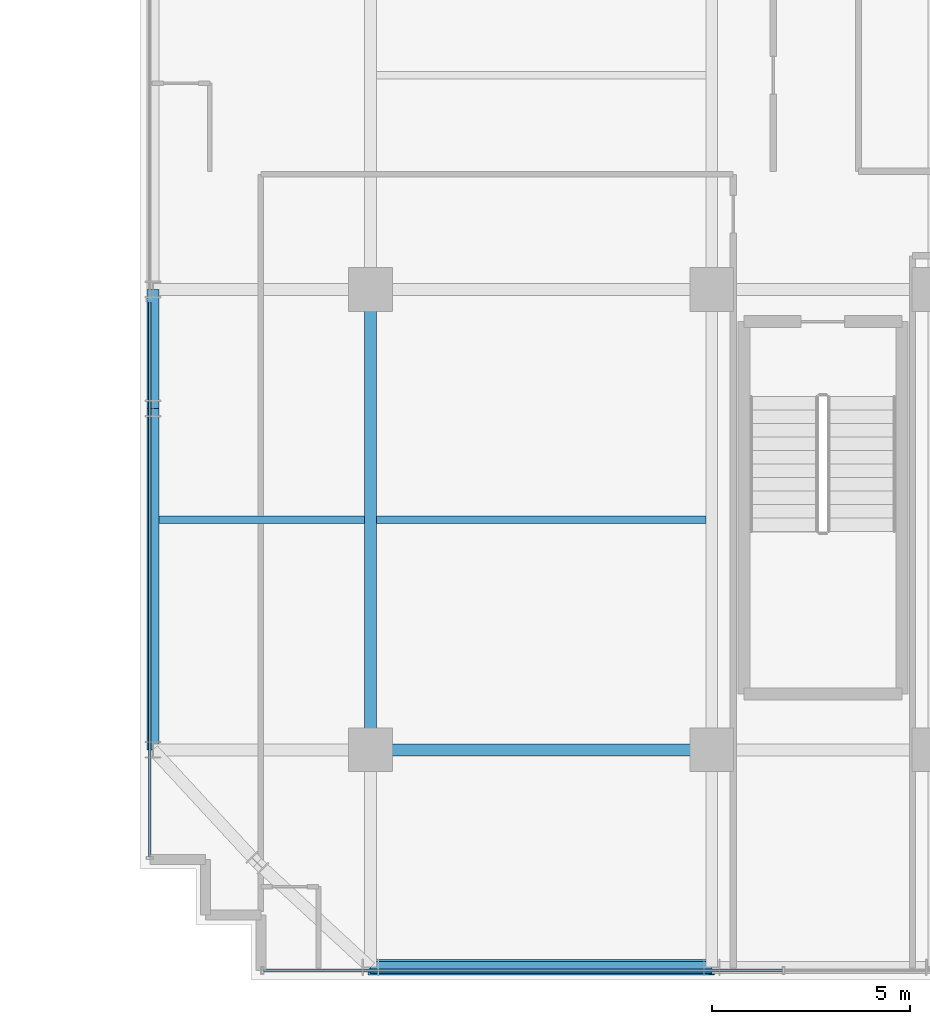
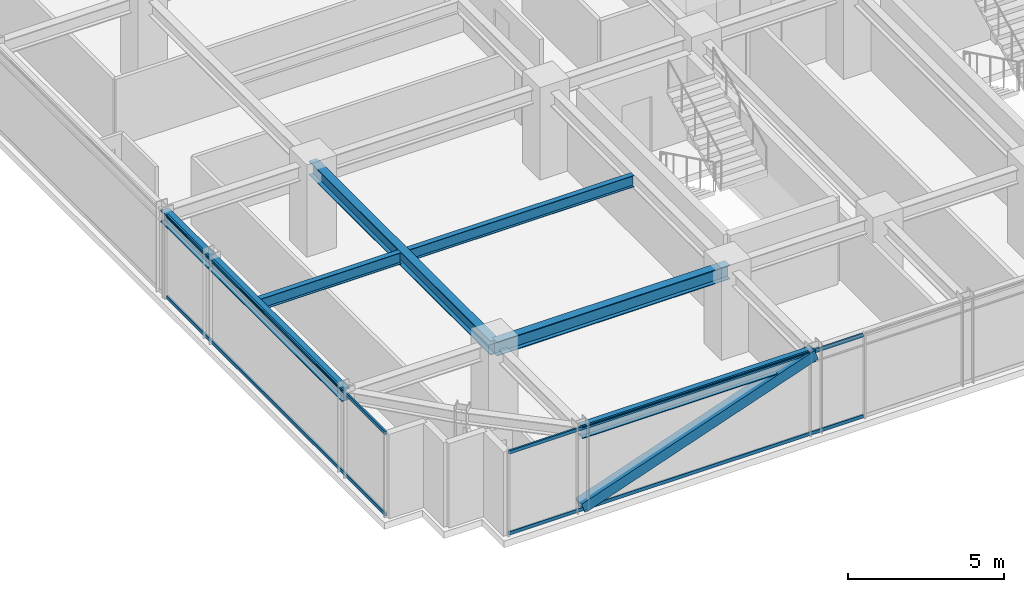
# One storey, part 3 of 32: 7 beams, 5 members, 2 elements without a shape of their own.
"""IFC4 building model written with IfcOpenShell, lengths in metres."""

from ifc_helpers import new_model, si_unit, direction, frame, origin, origin_2d, place, context, subcontext, project, spatial, hollow_rectangle, i_section, extrude, source, transform, mapped, material, material_profile, profile_set, type_object, element, aggregate, save


model = new_model("IFC4")

# Units and contexts
model_context = context("Model", 3, precision=1e-05, world=origin(), true_north=direction((0.0, 1.0)))
body_context = subcontext(model_context, "Body", "Model", "MODEL_VIEW")
ifc_project = project(units=[si_unit("LENGTHUNIT", "METRE"), si_unit("AREAUNIT", "SQUARE_METRE"), si_unit("VOLUMEUNIT", "CUBIC_METRE"), si_unit("PLANEANGLEUNIT", "RADIAN"), si_unit("MASSUNIT", "GRAM", prefix="KILO")], contexts=[model_context])

# Site, building, storey
site_placement = place(None, origin())
site = spatial("IfcSite", under=ifc_project, at=site_placement, CompositionType="ELEMENT")
building_placement = place(site_placement, origin())
building = spatial("IfcBuilding", under=site, at=building_placement, Name="Nahalor Promenade Grand Hotel", CompositionType="ELEMENT")
storey_placement = place(building_placement, frame((0.0, 0.0, 196.449951171875)))
storey = spatial("IfcBuildingStorey", under=building, at=storey_placement, Name="L50", CompositionType="ELEMENT", Elevation=196.449951171875)

# Beams
ifc_material_1 = material(Name="Steel S355JR", Category="steel")
ifc_material_profile_1 = material_profile(ifc_material_1, i_section(OverallWidth=0.3, OverallDepth=0.55, WebThickness=0.015, FlangeThickness=0.029, at=origin_2d()), Name="HEB 550")
ifc_profile_set_1 = profile_set([ifc_material_profile_1], Name="Steel S355JR")
beam_type_1 = type_object("IfcBeamType", Name="Beam-Girder-HEB550", PredefinedType="BEAM", material=ifc_profile_set_1)
shared_shape_1 = source(origin(), body_context, "Body", "SweptSolid", [
    extrude(i_section(OverallWidth=0.3, OverallDepth=0.55, WebThickness=0.015, FlangeThickness=0.029, at=origin_2d()), origin(), (0.0, 0.0, 1.0), 8.60009765625),
])
beam_1_placement = place(storey_placement, frame((-17.0, -17.0, 3.01513671875), z_axis=(1.0, 0.0, 0.0), x_axis=(0.0, 1.0, 0.0)))
element("IfcBeam", 1, at=beam_1_placement, inside=storey, type_object=beam_type_1, Name="BM-L50-GX-0-1", PredefinedType="BEAM", context=body_context, shape_type="MappedRepresentation", body=[
    mapped(shared_shape_1, transform((0.0, 0.0, 0.0), scale=1.0)),
])
shared_shape_2 = source(origin(), body_context, "Body", "SweptSolid", [
    extrude(i_section(OverallWidth=0.3, OverallDepth=0.55, WebThickness=0.015, FlangeThickness=0.029, at=origin_2d()), origin(), (0.0, 0.0, 1.0), 11.60009765625),
])
beam_2_placement = place(storey_placement, frame((-17.0, -17.0, 3.01513671875), z_axis=(0.0, 1.0, 0.0), x_axis=(-1.0, 0.0, 0.0)))
element("IfcBeam", 2, at=beam_2_placement, inside=storey, type_object=beam_type_1, Name="BM-L50-GY-0-1", PredefinedType="BEAM", context=body_context, shape_type="MappedRepresentation", body=[
    mapped(shared_shape_2, transform((0.0, 0.0, 0.0), scale=1.0)),
])
ifc_material_profile_2 = material_profile(ifc_material_1, i_section(OverallWidth=0.19, OverallDepth=0.45, WebThickness=0.0094, FlangeThickness=0.0146, at=origin_2d()), Name="IPE 450")
ifc_profile_set_2 = profile_set([ifc_material_profile_2], Name="Steel S355JR")
beam_type_2 = type_object("IfcBeamType", Name="Beam-Joist-IPE450", PredefinedType="JOIST", material=ifc_profile_set_2)
shared_shape_3 = source(origin(), body_context, "Body", "SweptSolid", [
    extrude(i_section(OverallWidth=0.19, OverallDepth=0.45, WebThickness=0.0094, FlangeThickness=0.0146, at=origin_2d()), origin(), (0.0, 0.0, 1.0), 8.300048828125),
])
beam_3_placement = place(storey_placement, frame((-16.85009765625, -11.199951171875, 3.06494140625), z_axis=(1.0, 0.0, 0.0), x_axis=(0.0, 1.0, 0.0)))
element("IfcBeam", 3, at=beam_3_placement, inside=storey, type_object=beam_type_2, Name="BM-L50-JSW-0-1", PredefinedType="JOIST", context=body_context, shape_type="MappedRepresentation", body=[
    mapped(shared_shape_3, transform((0.0, 0.0, 0.0), scale=1.0)),
])
shared_shape_4 = source(origin(), body_context, "Body", "SweptSolid", [
    extrude(i_section(OverallWidth=0.19, OverallDepth=0.45, WebThickness=0.0094, FlangeThickness=0.0146, at=origin_2d()), origin(), (0.0, 0.0, 1.0), 5.18017578125),
])
beam_4_placement = place(storey_placement, frame((-22.330078125, -11.199951171875, 3.06494140625), z_axis=(1.0, 0.0, 0.0), x_axis=(0.0, 1.0, 0.0)))
element("IfcBeam", 4, at=beam_4_placement, inside=storey, type_object=beam_type_2, Name="BM-L50-JSW-0-0", PredefinedType="JOIST", context=body_context, shape_type="MappedRepresentation", body=[
    mapped(shared_shape_4, transform((0.0, 0.0, 0.0), scale=1.0)),
])
ifc_material_profile_3 = material_profile(ifc_material_1, i_section(OverallWidth=0.3, OverallDepth=0.45, WebThickness=0.014, FlangeThickness=0.026, at=origin_2d()), Name="HEB 450")
ifc_profile_set_3 = profile_set([ifc_material_profile_3], Name="Steel S355JR")
beam_type_3 = type_object("IfcBeamType", Name="Beam-Spandrel-HEB450", PredefinedType="SPANDREL", material=ifc_profile_set_3)
shared_shape_5 = source(origin(), body_context, "Body", "SweptSolid", [
    extrude(i_section(OverallWidth=0.3, OverallDepth=0.45, WebThickness=0.014, FlangeThickness=0.026, at=origin_2d()), origin(), (0.0, 0.0, 1.0), 8.60009765625),
])
for number, where, z_axis, x_axis, name in (
    (5, (-17.0, -22.47998046875, 3.06494140625), (1.0, 0.0, 0.0), (0.0, 1.0, 0.0), "BM-L50-SP-S-0"),
    (6, (-22.47998046875, -17.0, 3.06494140625), (0.0, 1.0, 0.0), (-1.0, 0.0, 0.0), "BM-L50-SP-W-0"),
):
    element("IfcBeam", number, at=place(storey_placement, frame(where, z_axis=z_axis, x_axis=x_axis)), inside=storey, type_object=beam_type_3, Name=name, PredefinedType="SPANDREL", context=body_context, shape_type="MappedRepresentation", body=[
        mapped(shared_shape_5, transform((0.0, 0.0, 0.0), scale=1.0)),
    ])
shared_shape_6 = source(origin(), body_context, "Body", "SweptSolid", [
    extrude(i_section(OverallWidth=0.3, OverallDepth=0.45, WebThickness=0.014, FlangeThickness=0.026, at=origin_2d()), origin(), (0.0, 0.0, 1.0), 3.0),
])
beam_5_placement = place(storey_placement, frame((-22.47998046875, -8.39990234375, 3.06494140625), z_axis=(0.0, 1.0, 0.0), x_axis=(-1.0, 0.0, 0.0)))
element("IfcBeam", 7, at=beam_5_placement, inside=storey, type_object=beam_type_3, Name="BM-L50-SP-W-1", PredefinedType="SPANDREL", context=body_context, shape_type="MappedRepresentation", body=[
    mapped(shared_shape_6, transform((0.0, 0.0, 0.0), scale=1.0)),
])

# Member
ifc_material_profile_4 = material_profile(ifc_material_1, hollow_rectangle(XDim=0.4, YDim=0.4, WallThickness=0.022, at=origin_2d()), Name="SHS 400x400x22")
ifc_profile_set_4 = profile_set([ifc_material_profile_4], Name="Steel S355JR")
member_type_1 = type_object("IfcMemberType", Name="Mem-ExoBrace-SHS400", PredefinedType="BRACE", material=ifc_profile_set_4)
shared_shape_7 = source(origin(), body_context, "Body", "SweptSolid", [
    extrude(hollow_rectangle(XDim=0.4, YDim=0.4, WallThickness=0.022, at=origin_2d()), origin(), (0.0, 0.0, 1.0), 9.10498046875),
])
member_1_placement = place(storey_placement, frame((-17.0, -22.47998046875, 0.150146484375), z_axis=(0.944542728138, 0.0, 0.328388542313), x_axis=(0.0, 1.0, 0.0)))
element("IfcMember", 8, at=member_1_placement, inside=storey, type_object=member_type_1, Name="EXO-L50-S-0", PredefinedType="BRACE", context=body_context, shape_type="MappedRepresentation", body=[
    mapped(shared_shape_7, transform((0.0, 0.0, 0.0), scale=1.0)),
])

# Curtain wall, members
ifc_material_2 = material(Name="Anodised Bronze Aluminium EN AW-6063 T6", Category="aluminium")
curtain_wall_type = type_object("IfcCurtainWallType", Name="CW2 Typical Hotel Flush Bronze Unitised Curtain Wall", PredefinedType="USERDEFINED", material=ifc_material_2)
curtain_wall_1_placement = place(storey_placement, origin())
curtain_wall_1 = element("IfcCurtainWall", 9, at=curtain_wall_1_placement, inside=storey, type_object=curtain_wall_type, Name="L50 Curtain Wall CW-L50-W-1", ObjectType="UNITISED_CURTAIN_WALL", PredefinedType="USERDEFINED")
ifc_material_profile_5 = material_profile(ifc_material_2, hollow_rectangle(XDim=0.065, YDim=0.13, WallThickness=0.004, at=origin_2d()), Name="CWT 65x130x4")
ifc_profile_set_5 = profile_set([ifc_material_profile_5], Name="Anodised Bronze Aluminium EN AW-6063 T6")
member_type_2 = type_object("IfcMemberType", Name="CWT2 Typical Bronze Transom 65x130", PredefinedType="USERDEFINED", material=ifc_profile_set_5)
shared_shape_8 = source(origin(), body_context, "Body", "SweptSolid", [
    extrude(hollow_rectangle(XDim=0.065, YDim=0.13, WallThickness=0.004, at=origin_2d()), origin(), (0.0, 0.0, 1.0), 13.982666015625),
])
member_2_placement = place(storey_placement, frame((-22.56005859375, -19.695068359375, 0.06494140625), z_axis=(0.0, 1.0, 0.0), x_axis=(-1.0, 0.0, 0.0)))
member_2 = element("IfcMember", 10, at=member_2_placement, type_object=member_type_2, Name="CW-L50-W-1 Transom 0-0", ObjectType="TRANSOM", PredefinedType="USERDEFINED", context=body_context, shape_type="MappedRepresentation", body=[
    mapped(shared_shape_8, transform((0.0, 0.0, 0.0), scale=1.0)),
])
member_3_placement = place(storey_placement, frame((-22.56005859375, -19.695068359375, 3.22509765625), z_axis=(0.0, 1.0, 0.0), x_axis=(-1.0, 0.0, 0.0)))
member_3 = element("IfcMember", 11, at=member_3_placement, type_object=member_type_2, Name="CW-L50-W-1 Transom 0-1", ObjectType="TRANSOM", PredefinedType="USERDEFINED", context=body_context, shape_type="MappedRepresentation", body=[
    mapped(shared_shape_8, transform((0.0, 0.0, 0.0), scale=1.0)),
])
aggregate(curtain_wall_1, [member_2, member_3])

curtain_wall_2_placement = place(storey_placement, origin())
curtain_wall_2 = element("IfcCurtainWall", 12, at=curtain_wall_2_placement, inside=storey, type_object=curtain_wall_type, Name="L50 Curtain Wall CW-L50-S-1", ObjectType="UNITISED_CURTAIN_WALL", PredefinedType="USERDEFINED")
shared_shape_9 = source(origin(), body_context, "Body", "SweptSolid", [
    extrude(hollow_rectangle(XDim=0.065, YDim=0.13, WallThickness=0.004, at=origin_2d()), origin(), (0.0, 0.0, 1.0), 13.075927734375),
])
member_4_placement = place(storey_placement, frame((-19.695068359375, -22.56005859375, 0.06494140625), z_axis=(1.0, 0.0, 0.0), x_axis=(0.0, 1.0, 0.0)))
member_4 = element("IfcMember", 13, at=member_4_placement, type_object=member_type_2, Name="CW-L50-S-1 Transom 0-0", ObjectType="TRANSOM", PredefinedType="USERDEFINED", context=body_context, shape_type="MappedRepresentation", body=[
    mapped(shared_shape_9, transform((0.0, 0.0, 0.0), scale=1.0)),
])
member_5_placement = place(storey_placement, frame((-19.695068359375, -22.56005859375, 3.22509765625), z_axis=(1.0, 0.0, 0.0), x_axis=(0.0, 1.0, 0.0)))
member_5 = element("IfcMember", 14, at=member_5_placement, type_object=member_type_2, Name="CW-L50-S-1 Transom 0-1", ObjectType="TRANSOM", PredefinedType="USERDEFINED", context=body_context, shape_type="MappedRepresentation", body=[
    mapped(shared_shape_9, transform((0.0, 0.0, 0.0), scale=1.0)),
])
aggregate(curtain_wall_2, [member_4, member_5])

save(model, "model.ifc")
